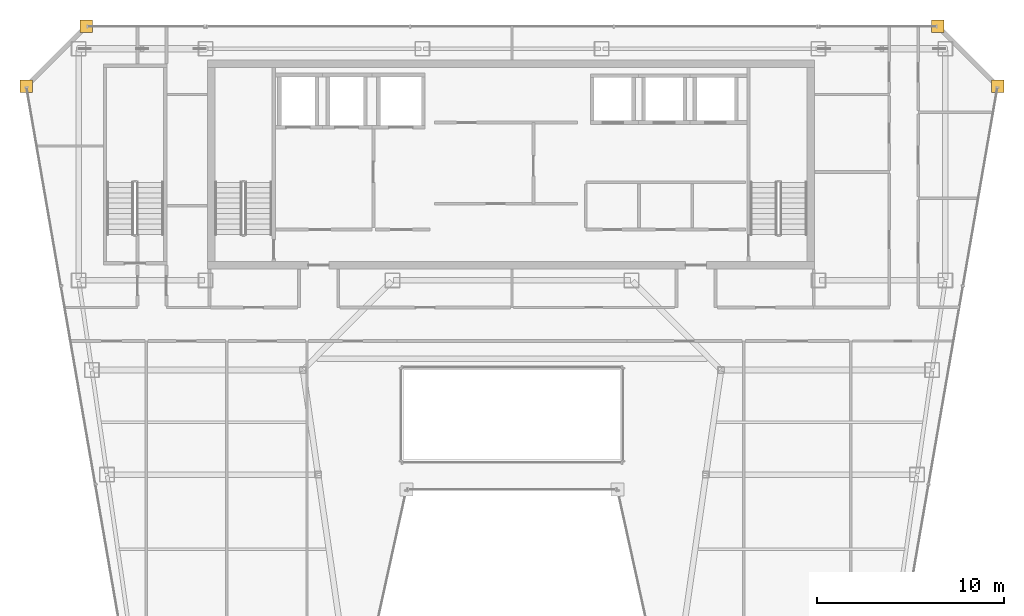
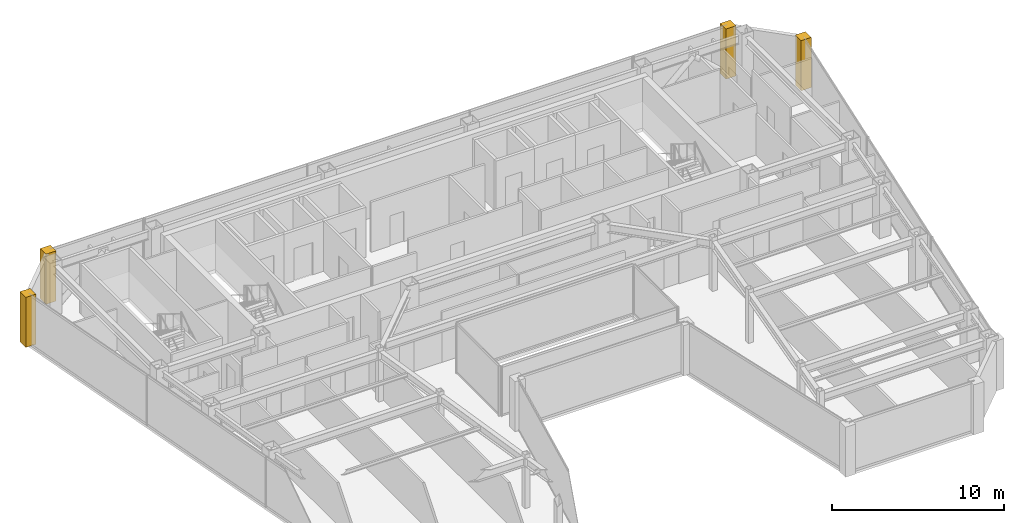
# One storey, part 33 of 33: 4 coverings.
"""IFC4 building model written with IfcOpenShell, lengths in metres."""

from ifc_helpers import new_model, si_unit, direction, frame, origin, place, context, subcontext, project, spatial, polyline, outline, extrude, material, layer, layer_set, type_object, element, save


model = new_model("IFC4")

# Units and contexts
model_context = context("Model", 3, precision=1e-05, world=origin(), true_north=direction((0.0, 1.0)))
body_context = subcontext(model_context, "Body", "Model", "MODEL_VIEW")
ifc_project = project(units=[si_unit("LENGTHUNIT", "METRE"), si_unit("AREAUNIT", "SQUARE_METRE"), si_unit("VOLUMEUNIT", "CUBIC_METRE"), si_unit("PLANEANGLEUNIT", "RADIAN"), si_unit("MASSUNIT", "GRAM", prefix="KILO")], contexts=[model_context])

# Site, building, storey
site_placement = place(None, origin())
site = spatial("IfcSite", under=ifc_project, at=site_placement, CompositionType="ELEMENT")
building_placement = place(site_placement, origin())
building = spatial("IfcBuilding", under=site, at=building_placement, Name="Saevonmaru Cultural Tower", CompositionType="ELEMENT")
storey_placement = place(building_placement, frame((0.0, 0.0, 238.199951171875)))
storey = spatial("IfcBuildingStorey", under=building, at=storey_placement, Name="L55", CompositionType="ELEMENT", Elevation=238.199951171875)

# Coverings
ifc_material = material(Name="Satin Bronze Anodised Aluminium", Category="aluminium")
ifc_layer = layer(ifc_material, 0.679931640625, Name="Satin Bronze Anodised Aluminium")
ifc_layer_set = layer_set([ifc_layer], Name="Satin Bronze Anodised Aluminium")
covering_type = type_object("IfcCoveringType", Name="CV-CORNER-CLAD", PredefinedType="CLADDING", material=ifc_layer_set)
covering_1_placement = place(storey_placement, origin())
element("IfcCovering", 1, at=covering_1_placement, inside=storey, type_object=covering_type, Name="L55 Tower Bronze Corner Cladding Pier 9", PredefinedType="CLADDING", context=body_context, shape_type="SweptSolid", body=[
    extrude(outline(polyline([(55.659912109375, 52.4599609375), (56.340087890625, 52.4599609375), (56.340087890625, 53.139892578125), (55.659912109375, 53.139892578125), (55.659912109375, 52.4599609375)])), origin(), (0.0, 0.0, 1.0), 3.550048828125),
])
covering_2_placement = place(storey_placement, origin())
element("IfcCovering", 2, at=covering_2_placement, inside=storey, type_object=covering_type, Name="L55 Tower Bronze Corner Cladding Pier 10", PredefinedType="CLADDING", context=body_context, shape_type="SweptSolid", body=[
    extrude(outline(polyline([(52.4599609375, 55.659912109375), (53.139892578125, 55.659912109375), (53.139892578125, 56.340087890625), (52.4599609375, 56.340087890625), (52.4599609375, 55.659912109375)])), origin(), (0.0, 0.0, 1.0), 3.550048828125),
])
covering_3_placement = place(storey_placement, origin())
element("IfcCovering", 3, at=covering_3_placement, inside=storey, type_object=covering_type, Name="L55 Tower Bronze Corner Cladding Pier 11", PredefinedType="CLADDING", context=body_context, shape_type="SweptSolid", body=[
    extrude(outline(polyline([(6.860107421875, 55.659912109375), (7.5400390625, 55.659912109375), (7.5400390625, 56.340087890625), (6.860107421875, 56.340087890625), (6.860107421875, 55.659912109375)])), origin(), (0.0, 0.0, 1.0), 3.550048828125),
])
covering_4_placement = place(storey_placement, origin())
element("IfcCovering", 4, at=covering_4_placement, inside=storey, type_object=covering_type, Name="L55 Tower Bronze Corner Cladding Pier 12", PredefinedType="CLADDING", context=body_context, shape_type="SweptSolid", body=[
    extrude(outline(polyline([(3.659912109375, 52.4599609375), (4.340087890625, 52.4599609375), (4.340087890625, 53.139892578125), (3.659912109375, 53.139892578125), (3.659912109375, 52.4599609375)])), origin(), (0.0, 0.0, 1.0), 3.550048828125),
])

save(model, "model.ifc")
